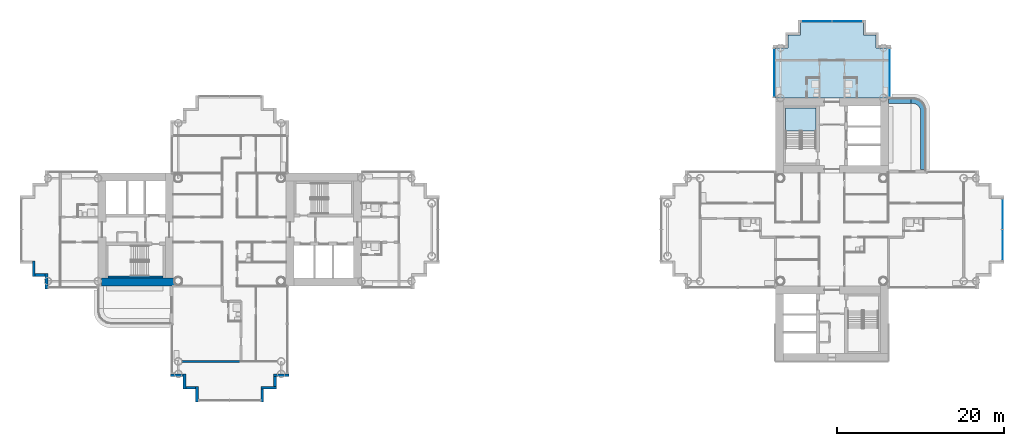
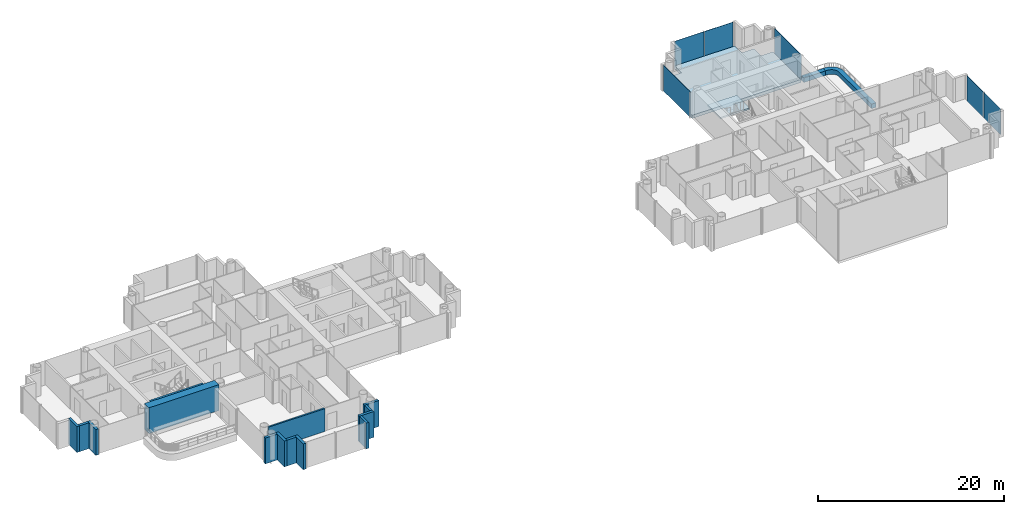
# One storey, part 8 of 21: 14 walls, 6 plates, 4 slabs, 5 elements without a shape of their own.
"""IFC4 building model written with IfcOpenShell, lengths in metres."""

from ifc_helpers import new_model, si_unit, direction, frame, frame_2d, origin, origin_2d, place, context, subcontext, project, spatial, polyline, rectangle, outline, extrude, material, layer, layer_set, type_object, element, aggregate, save


model = new_model("IFC4")

# Units and contexts
model_context = context("Model", 3, precision=1e-05, world=origin(), true_north=direction((0.0, 1.0)))
body_context = subcontext(model_context, "Body", "Model", "MODEL_VIEW")
ifc_project = project(units=[si_unit("LENGTHUNIT", "METRE"), si_unit("AREAUNIT", "SQUARE_METRE"), si_unit("VOLUMEUNIT", "CUBIC_METRE"), si_unit("PLANEANGLEUNIT", "RADIAN"), si_unit("MASSUNIT", "GRAM", prefix="KILO")], contexts=[model_context])

# Site, building, storey
site_placement = place(None, origin())
site = spatial("IfcSite", under=ifc_project, at=site_placement, CompositionType="ELEMENT")
building_placement = place(site_placement, origin())
building = spatial("IfcBuilding", under=site, at=building_placement, Name="Ipe Terrace Towers", CompositionType="ELEMENT")
storey_placement = place(building_placement, frame((0.0, 0.0, 97.0)))
storey = spatial("IfcBuildingStorey", under=building, at=storey_placement, Name="L26", CompositionType="ELEMENT", Elevation=97.0)

# Stair, slab
ifc_material_1 = material(Name="Concrete C30/37", Category="concrete")
stair_type = type_object("IfcStairType", Name="Protected exit stair", PredefinedType="HALF_TURN_STAIR", material=ifc_material_1)
stair_placement = place(storey_placement, origin())
stair = element("IfcStair", 1, at=stair_placement, inside=storey, type_object=stair_type, Name="L26 Exit stair T2-C1", PredefinedType="HALF_TURN_STAIR")
ifc_material_2 = material(Name="Concrete C30/37", Category="concrete")
ifc_layer_1 = layer(ifc_material_2, 0.199951171875)
ifc_layer_set_1 = layer_set([ifc_layer_1], Name="Exit stair landing 200")
slab_type_1 = type_object("IfcSlabType", Name="Exit stair landing 200", PredefinedType="LANDING", material=ifc_layer_set_1)
slab_1_placement = place(storey_placement, frame((0.0, 0.0, 1.5)))
slab_1 = element("IfcSlab", 2, at=slab_1_placement, type_object=slab_type_1, Name="T2-ST1 landing 1", PredefinedType="LANDING", context=body_context, shape_type="SweptSolid", body=[
    extrude(outline(polyline([(34.10009765625, 11.780029296875), (34.10009765625, 14.550048828125), (30.449951171875, 14.550048828125), (30.449951171875, 11.780029296875), (34.10009765625, 11.780029296875)])), origin(), (0.0, 0.0, 1.0), 0.199951171875),
])
aggregate(stair, [slab_1])

# Slabs
ifc_material_3 = material(Name="Concrete C40/50", Category="concrete")
ifc_layer_2 = layer(ifc_material_3, 0.39990234375)
ifc_layer_set_2 = layer_set([ifc_layer_2], Name="FLAT PLATE SLAB 400 C40-50")
slab_type_2 = type_object("IfcSlabType", Name="FLAT PLATE SLAB 400 C40-50", PredefinedType="FLOOR", material=ifc_layer_set_2)
slab_2_placement = place(storey_placement, frame((0.0, 0.0, -0.39990234375)))
element("IfcSlab", 3, at=slab_2_placement, inside=storey, type_object=slab_type_2, Name="Slab T2-FS-Z22", PredefinedType="FLOOR", context=body_context, shape_type="SweptSolid", body=[
    extrude(outline(polyline([(30.75, 21.75), (30.75, 23.25), (32.25, 23.25), (32.25, 24.75), (39.75, 24.75), (39.75, 23.25), (41.25, 23.25), (41.25, 21.75), (42.75, 21.75), (42.75, 15.75), (29.25, 15.75), (29.25, 21.75), (30.75, 21.75)])), origin(), (0.0, 0.0, 1.0), 0.39990234375),
])
ifc_material_4 = material(Name="Concrete C30/37", Category="concrete")
ifc_layer_3 = layer(ifc_material_4, 0.60009765625)
ifc_layer_set_3 = layer_set([ifc_layer_3], Name="PLANTER TROUGH 550 x 600")
slab_type_3 = type_object("IfcSlabType", Name="PLANTER TROUGH 550 x 600", PredefinedType="USERDEFINED", material=ifc_layer_set_3)
slab_3_placement = place(storey_placement, frame((0.0, 0.0, -0.02001953125)))
element("IfcSlab", 4, at=slab_3_placement, inside=storey, type_object=slab_type_3, Name="planter", ObjectType="PLANTER", PredefinedType="USERDEFINED", context=body_context, shape_type="SweptSolid", body=[
    extrude(outline(polyline([(42.75, 15.639892578125), (42.75, 15.090087890625), (45.449951171875, 15.090087890625), (45.449951171875, 15.639892578125), (42.75, 15.639892578125)])), origin(), (0.0, 0.0, 1.0), 0.60009765625),
])
slab_4_placement = place(storey_placement, frame((0.0, 0.0, -0.02001953125)))
element("IfcSlab", 5, at=slab_4_placement, inside=storey, type_object=slab_type_3, Name="planter", ObjectType="PLANTER", PredefinedType="USERDEFINED", context=body_context, shape_type="SweptSolid", body=[
    extrude(outline(polyline([(45.89306640625, 15.056884765625), (46.009033203125, 15.01708984375), (46.118896484375, 14.962890625), (46.220947265625, 14.89501953125), (46.31396484375, 14.81396484375), (46.39501953125, 14.720947265625), (46.462890625, 14.618896484375), (46.51708984375, 14.509033203125), (46.556884765625, 14.39306640625), (46.5810546875, 14.27294921875), (46.590087890625, 14.1279296875), (46.590087890625, 7.199951171875), (47.139892578125, 7.199951171875), (47.139892578125, 14.136962890625), (47.138916015625, 14.155029296875), (47.1279296875, 14.325927734375), (47.1240234375, 14.362060546875), (47.093017578125, 14.51806640625), (47.0830078125, 14.552978515625), (47.031982421875, 14.702880859375), (47.01806640625, 14.736083984375), (46.947998046875, 14.87890625), (46.929931640625, 14.909912109375), (46.842041015625, 15.0419921875), (46.820068359375, 15.070068359375), (46.715087890625, 15.18994140625), (46.68994140625, 15.215087890625), (46.570068359375, 15.320068359375), (46.5419921875, 15.342041015625), (46.409912109375, 15.429931640625), (46.37890625, 15.447998046875), (46.236083984375, 15.51806640625), (46.202880859375, 15.531982421875), (46.052978515625, 15.5830078125), (46.01806640625, 15.593017578125), (45.862060546875, 15.6240234375), (45.825927734375, 15.6279296875), (45.655029296875, 15.638916015625), (45.636962890625, 15.639892578125), (45.449951171875, 15.639892578125), (45.449951171875, 15.090087890625), (45.6279296875, 15.090087890625), (45.77294921875, 15.0810546875), (45.89306640625, 15.056884765625)])), origin(), (0.0, 0.0, 1.0), 0.60009765625),
])

# Curtain wall, plates
ifc_material_5 = material(Name="Aluminium alloy 6063-T6", Category="aluminium")
ifc_layer_4 = layer(ifc_material_5, 0.320068359375)
ifc_layer_set_4 = layer_set([ifc_layer_4], Name="TOWER UNITISED CURTAIN WALL")
curtain_wall_type = type_object("IfcCurtainWallType", Name="TOWER UNITISED CURTAIN WALL", PredefinedType="NOTDEFINED", material=ifc_layer_set_4)
curtain_wall_1_placement = place(storey_placement, origin())
curtain_wall_1 = element("IfcCurtainWall", 6, at=curtain_wall_1_placement, inside=storey, type_object=curtain_wall_type, Name="T2-CW-L26-08a curtain wall", PredefinedType="NOTDEFINED")
ifc_material_6 = material(Name="Glass, clear laminated", Category="glass")
ifc_layer_5 = layer(ifc_material_6, 0.031982421875)
ifc_layer_set_5 = layer_set([ifc_layer_5], Name="TOWER UNITISED GLASS PANEL 32")
plate_type = type_object("IfcPlateType", Name="TOWER UNITISED GLASS PANEL 32", PredefinedType="CURTAIN_PANEL", material=ifc_layer_set_5)
plate_1_placement = place(storey_placement, frame((56.409912109375, -1.831298828125, -0.300048828125), z_axis=(0.0, 0.0, 1.0), x_axis=(0.0, 1.0, 0.0)))
plate_1 = element("IfcPlate", 7, at=plate_1_placement, type_object=plate_type, Name="T2-CW-L26-08a panel 1", PredefinedType="CURTAIN_PANEL", context=body_context, shape_type="SweptSolid", body=[
    extrude(rectangle(XDim=3.597412109375, YDim=0.031982421875, at=origin_2d()), origin(), (0.0, 0.0, 1.0), 3.39990234375),
])
plate_2_placement = place(storey_placement, frame((56.409912109375, 1.831298828125, -0.300048828125), z_axis=(0.0, 0.0, 1.0), x_axis=(0.0, 1.0, 0.0)))
plate_2 = element("IfcPlate", 8, at=plate_2_placement, type_object=plate_type, Name="T2-CW-L26-08a panel 2", PredefinedType="CURTAIN_PANEL", context=body_context, shape_type="SweptSolid", body=[
    extrude(rectangle(XDim=3.597412109375, YDim=0.031982421875, at=origin_2d()), origin(), (0.0, 0.0, 1.0), 3.39990234375),
])
aggregate(curtain_wall_1, [plate_1, plate_2])

# Curtain wall, plate
curtain_wall_2_placement = place(storey_placement, origin())
curtain_wall_2 = element("IfcCurtainWall", 9, at=curtain_wall_2_placement, inside=storey, type_object=curtain_wall_type, Name="T2-CW-L26-16b curtain wall", PredefinedType="NOTDEFINED")
plate_3_placement = place(storey_placement, frame((42.909912109375, 18.75048828125, -0.300048828125), z_axis=(0.0, 0.0, 1.0), x_axis=(0.0, 1.0, 0.0)))
plate_3 = element("IfcPlate", 10, at=plate_3_placement, type_object=plate_type, Name="T2-CW-L26-16b panel 1", PredefinedType="CURTAIN_PANEL", context=body_context, shape_type="SweptSolid", body=[
    extrude(rectangle(XDim=5.759033203125, YDim=0.031982421875, at=origin_2d()), origin(), (0.0, 0.0, 1.0), 3.39990234375),
])
aggregate(curtain_wall_2, [plate_3])

# Curtain wall, plates
curtain_wall_3_placement = place(storey_placement, origin())
curtain_wall_3 = element("IfcCurtainWall", 11, at=curtain_wall_3_placement, inside=storey, type_object=curtain_wall_type, Name="T2-CW-L26-21a curtain wall", PredefinedType="NOTDEFINED")
plate_4_placement = place(storey_placement, frame((37.831298828125, 24.909912109375, -0.300048828125), z_axis=(0.0, 0.0, 1.0), x_axis=(-1.0, 0.0, 0.0)))
plate_4 = element("IfcPlate", 12, at=plate_4_placement, type_object=plate_type, Name="T2-CW-L26-21a panel 1", PredefinedType="CURTAIN_PANEL", context=body_context, shape_type="SweptSolid", body=[
    extrude(rectangle(XDim=3.597412109375, YDim=0.031982421875, at=origin_2d()), origin(), (0.0, 0.0, 1.0), 3.39990234375),
])
plate_5_placement = place(storey_placement, frame((34.168701171875, 24.909912109375, -0.300048828125), z_axis=(0.0, 0.0, 1.0), x_axis=(-1.0, 0.0, 0.0)))
plate_5 = element("IfcPlate", 13, at=plate_5_placement, type_object=plate_type, Name="T2-CW-L26-21a panel 2", PredefinedType="CURTAIN_PANEL", context=body_context, shape_type="SweptSolid", body=[
    extrude(rectangle(XDim=3.597412109375, YDim=0.031982421875, at=origin_2d()), origin(), (0.0, 0.0, 1.0), 3.39990234375),
])
aggregate(curtain_wall_3, [plate_4, plate_5])

# Curtain wall, plate
curtain_wall_4_placement = place(storey_placement, origin())
curtain_wall_4 = element("IfcCurtainWall", 14, at=curtain_wall_4_placement, inside=storey, type_object=curtain_wall_type, Name="T2-CW-L26-26a curtain wall", PredefinedType="NOTDEFINED")
plate_6_placement = place(storey_placement, frame((29.090087890625, 18.75048828125, -0.300048828125), z_axis=(0.0, 0.0, 1.0), x_axis=(0.0, -1.0, 0.0)))
plate_6 = element("IfcPlate", 15, at=plate_6_placement, type_object=plate_type, Name="T2-CW-L26-26a panel 1", PredefinedType="CURTAIN_PANEL", context=body_context, shape_type="SweptSolid", body=[
    extrude(rectangle(XDim=5.759033203125, YDim=0.031982421875, at=origin_2d()), origin(), (0.0, 0.0, 1.0), 3.39990234375),
])
aggregate(curtain_wall_4, [plate_6])

# Walls
ifc_material_7 = material(Name="Concrete C40/50 with buff precast cladding", Category="concrete")
ifc_layer_6 = layer(ifc_material_7, 0.320068359375)
ifc_layer_set_6 = layer_set([ifc_layer_6], Name="BUFF CLADDING WALL 320")
wall_type_1 = type_object("IfcWallType", Name="BUFF CLADDING WALL 320", PredefinedType="STANDARD", material=ifc_layer_set_6)
wall_1_placement = place(storey_placement, frame((-59.409912109375, -3.75, -0.300048828125), z_axis=(0.0, 0.0, 1.0), x_axis=(0.0, -1.0, 0.0)))
element("IfcWall", 16, at=wall_1_placement, inside=storey, type_object=wall_type_1, Name="T1-W-L26-01a wall", PredefinedType="STANDARD", context=body_context, shape_type="SweptSolid", body=[
    extrude(rectangle(XDim=1.820068359375, YDim=0.320068359375, at=frame_2d((0.91015625, 0.0))), origin(), (0.0, 0.0, 1.0), 3.400146484375),
])
wall_2_placement = place(storey_placement, frame((-59.25, -5.409912109375, -0.300048828125), z_axis=(0.0, 0.0, 1.0), x_axis=(1.0, 0.0, 0.0)))
element("IfcWall", 17, at=wall_2_placement, inside=storey, type_object=wall_type_1, Name="T1-W-L26-02a wall", PredefinedType="STANDARD", context=body_context, shape_type="SweptSolid", body=[
    extrude(rectangle(XDim=1.179931640625, YDim=0.320068359375, at=frame_2d((0.58984375, 0.0))), origin(), (0.0, 0.0, 1.0), 3.400146484375),
])
wall_3_placement = place(storey_placement, frame((-57.909912109375, -5.25, -0.300048828125), z_axis=(0.0, 0.0, 1.0), x_axis=(0.0, -1.0, 0.0)))
element("IfcWall", 18, at=wall_3_placement, inside=storey, type_object=wall_type_1, Name="T1-W-L26-03a wall", PredefinedType="STANDARD", context=body_context, shape_type="SweptSolid", body=[
    extrude(rectangle(XDim=1.820068359375, YDim=0.320068359375, at=frame_2d((0.91015625, 0.0))), origin(), (0.0, 0.0, 1.0), 3.400146484375),
])
wall_4_placement = place(storey_placement, frame((-43.070068359375, -17.409912109375, -0.300048828125), z_axis=(0.0, 0.0, 1.0), x_axis=(1.0, 0.0, 0.0)))
element("IfcWall", 19, at=wall_4_placement, inside=storey, type_object=wall_type_1, Name="T1-W-L26-08a wall", PredefinedType="STANDARD", context=body_context, shape_type="SweptSolid", body=[
    extrude(rectangle(XDim=1.5, YDim=0.320068359375, at=frame_2d((0.75, 0.0))), origin(), (0.0, 0.0, 1.0), 3.400146484375),
])
wall_5_placement = place(storey_placement, frame((-41.409912109375, -17.25, -0.300048828125), z_axis=(0.0, 0.0, 1.0), x_axis=(0.0, -1.0, 0.0)))
element("IfcWall", 20, at=wall_5_placement, inside=storey, type_object=wall_type_1, Name="T1-W-L26-09a wall", PredefinedType="STANDARD", context=body_context, shape_type="SweptSolid", body=[
    extrude(rectangle(XDim=1.820068359375, YDim=0.320068359375, at=frame_2d((0.91015625, 0.0))), origin(), (0.0, 0.0, 1.0), 3.400146484375),
])
wall_6_placement = place(storey_placement, frame((-41.25, -18.909912109375, -0.300048828125), z_axis=(0.0, 0.0, 1.0), x_axis=(1.0, 0.0, 0.0)))
element("IfcWall", 21, at=wall_6_placement, inside=storey, type_object=wall_type_1, Name="T1-W-L26-10a wall", PredefinedType="STANDARD", context=body_context, shape_type="SweptSolid", body=[
    extrude(rectangle(XDim=1.179931640625, YDim=0.320068359375, at=frame_2d((0.58984375, 0.0))), origin(), (0.0, 0.0, 1.0), 3.400146484375),
])
wall_7_placement = place(storey_placement, frame((-39.909912109375, -18.75, -0.300048828125), z_axis=(0.0, 0.0, 1.0), x_axis=(0.0, -1.0, 0.0)))
element("IfcWall", 22, at=wall_7_placement, inside=storey, type_object=wall_type_1, Name="T1-W-L26-11a wall", PredefinedType="STANDARD", context=body_context, shape_type="SweptSolid", body=[
    extrude(rectangle(XDim=1.820068359375, YDim=0.320068359375, at=frame_2d((0.91015625, 0.0))), origin(), (0.0, 0.0, 1.0), 3.400146484375),
])
wall_8_placement = place(storey_placement, frame((-32.090087890625, -20.570068359375, -0.300048828125), z_axis=(0.0, 0.0, 1.0), x_axis=(0.0, 1.0, 0.0)))
element("IfcWall", 23, at=wall_8_placement, inside=storey, type_object=wall_type_1, Name="T1-W-L26-13a wall", PredefinedType="STANDARD", context=body_context, shape_type="SweptSolid", body=[
    extrude(rectangle(XDim=1.5, YDim=0.320068359375, at=frame_2d((0.75, 0.0))), origin(), (0.0, 0.0, 1.0), 3.400146484375),
])
wall_9_placement = place(storey_placement, frame((-32.25, -18.909912109375, -0.300048828125), z_axis=(0.0, 0.0, 1.0), x_axis=(1.0, 0.0, 0.0)))
element("IfcWall", 24, at=wall_9_placement, inside=storey, type_object=wall_type_1, Name="T1-W-L26-14a wall", PredefinedType="STANDARD", context=body_context, shape_type="SweptSolid", body=[
    extrude(rectangle(XDim=1.820068359375, YDim=0.320068359375, at=frame_2d((0.91015625, 0.0))), origin(), (0.0, 0.0, 1.0), 3.400146484375),
])
wall_10_placement = place(storey_placement, frame((-30.590087890625, -18.75, -0.300048828125), z_axis=(0.0, 0.0, 1.0), x_axis=(0.0, 1.0, 0.0)))
element("IfcWall", 25, at=wall_10_placement, inside=storey, type_object=wall_type_1, Name="T1-W-L26-15a wall", PredefinedType="STANDARD", context=body_context, shape_type="SweptSolid", body=[
    extrude(rectangle(XDim=1.179931640625, YDim=0.320068359375, at=frame_2d((0.58984375, 0.0))), origin(), (0.0, 0.0, 1.0), 3.400146484375),
])
wall_11_placement = place(storey_placement, frame((-30.75, -17.409912109375, -0.300048828125), z_axis=(0.0, 0.0, 1.0), x_axis=(1.0, 0.0, 0.0)))
element("IfcWall", 26, at=wall_11_placement, inside=storey, type_object=wall_type_1, Name="T1-W-L26-16a wall", PredefinedType="STANDARD", context=body_context, shape_type="SweptSolid", body=[
    extrude(rectangle(XDim=1.820068359375, YDim=0.320068359375, at=frame_2d((0.91015625, 0.0))), origin(), (0.0, 0.0, 1.0), 3.400146484375),
])
ifc_material_8 = material(Name="Gypsum board party wall", Category="plasterboard")
ifc_layer_7 = layer(ifc_material_8, 0.199951171875)
ifc_layer_set_7 = layer_set([ifc_layer_7], Name="Gypsum board party wall 200 mm")
wall_type_2 = type_object("IfcWallType", Name="Gypsum board party wall 200 mm", PredefinedType="SOLIDWALL", material=ifc_layer_set_7)
wall_12_placement = place(storey_placement, frame((-41.699951171875, -15.75, 0.0), z_axis=(0.0, 0.0, 1.0), x_axis=(1.0, 0.0, 0.0)))
element("IfcWall", 27, at=wall_12_placement, inside=storey, type_object=wall_type_2, Name="Gypsum board party wall T1 L26 W22", PredefinedType="SOLIDWALL", context=body_context, shape_type="SweptSolid", body=[
    extrude(rectangle(XDim=7.050048828125, YDim=0.199951171875, at=frame_2d((3.52490234375, 0.0))), origin(), (0.0, 0.0, 1.0), 3.0),
])
ifc_material_9 = material(Name="Concrete C50/60", Category="concrete")
ifc_layer_8 = layer(ifc_material_9, 0.25)
ifc_layer_set_8 = layer_set([ifc_layer_8], Name="RW250 CORE INFILL WALL 250 C50-60")
wall_type_3 = type_object("IfcWallType", Name="RW250 CORE INFILL WALL 250 C50-60", PredefinedType="SHEAR", material=ifc_layer_set_8)
wall_13_placement = place(storey_placement, frame((-43.949951171875, -5.675048828125, 0.0), z_axis=(0.0, 0.0, 1.0), x_axis=(-1.0, 0.0, 0.0)))
element("IfcWall", 28, at=wall_13_placement, inside=storey, type_object=wall_type_3, Name="Core infill wall T1-C2-back", PredefinedType="SHEAR", context=body_context, shape_type="SweptSolid", body=[
    extrude(rectangle(XDim=6.60009765625, YDim=0.25, at=frame_2d((3.300048828125, 0.0))), origin(), (0.0, 0.0, 1.0), 3.39990234375),
])
ifc_material_10 = material(Name="Concrete C50/60", Category="concrete")
ifc_layer_9 = layer(ifc_material_10, 0.949951171875)
ifc_layer_set_9 = layer_set([ifc_layer_9], Name="RW950 CORE WALL 950 C50-60")
wall_type_4 = type_object("IfcWallType", Name="RW950 CORE WALL 950 C50-60", PredefinedType="SHEAR", material=ifc_layer_set_9)
wall_14_placement = place(storey_placement, frame((-51.298095703125, -6.27490234375, 0.0), z_axis=(0.0, 0.0, 1.0), x_axis=(1.0, 0.0, 0.0)))
element("IfcWall", 29, at=wall_14_placement, inside=storey, type_object=wall_type_4, Name="Core wall T1-C2-Z2-W01", PredefinedType="SHEAR", context=body_context, shape_type="SweptSolid", body=[
    extrude(rectangle(XDim=8.696044921875, YDim=0.949951171875, at=frame_2d((4.34814453125, 0.0))), origin(), (0.0, 0.0, 1.0), 3.39990234375),
])

save(model, "model.ifc")
